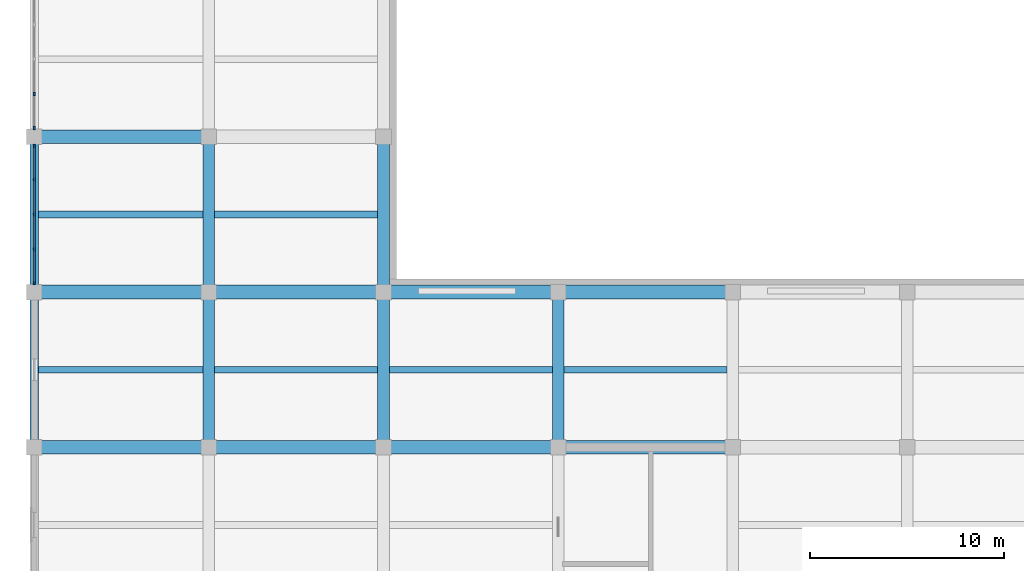
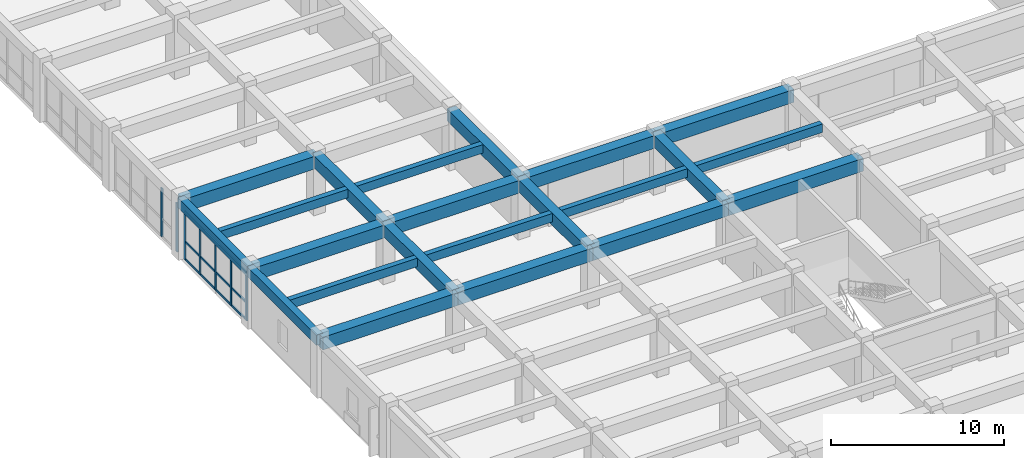
# One storey, part 6 of 50: 22 beams, 10 members, 2 elements without a shape of their own.
"""IFC4 building model written with IfcOpenShell, lengths in metres."""

from ifc_helpers import new_model, si_unit, direction, frame, origin, origin_2d, place, context, subcontext, project, spatial, rectangle, extrude, material, material_profile, profile_set, type_object, element, aggregate, save


model = new_model("IFC4")

# Units and contexts
model_context = context("Model", 3, precision=1e-05, world=origin(), true_north=direction((0.0, 1.0)))
body_context = subcontext(model_context, "Body", "Model", "MODEL_VIEW")
ifc_project = project(units=[si_unit("LENGTHUNIT", "METRE"), si_unit("AREAUNIT", "SQUARE_METRE"), si_unit("VOLUMEUNIT", "CUBIC_METRE"), si_unit("PLANEANGLEUNIT", "RADIAN"), si_unit("MASSUNIT", "GRAM", prefix="KILO")], contexts=[model_context])

# Site, building, storey
site_placement = place(None, origin())
site = spatial("IfcSite", under=ifc_project, at=site_placement, CompositionType="ELEMENT")
building_placement = place(site_placement, origin())
building = spatial("IfcBuilding", under=site, at=building_placement, Name="Zaverband Oceanarium and Marine Research Institute", CompositionType="ELEMENT")
storey_placement = place(building_placement, frame((0.0, 0.0, 9.0)))
storey = spatial("IfcBuildingStorey", under=building, at=storey_placement, Name="L02", CompositionType="ELEMENT", Elevation=9.0)

# Beams
ifc_material_1 = material(Name="Concrete C40/50", Category="concrete")
ifc_material_profile_1 = material_profile(ifc_material_1, rectangle(XDim=0.60009765625, YDim=0.85009765625, at=origin_2d()), Name="RC600x850")
ifc_profile_set_1 = profile_set([ifc_material_profile_1], Name="Concrete C40/50")
beam_type_1 = type_object("IfcBeamType", Name="BM-600x850", PredefinedType="BEAM", material=ifc_profile_set_1)
for number, where, z_axis, x_axis, name in (
    (1, (9.0, 32.0, 3.715087890625), (0.0, 1.0, 0.0), (-1.0, 0.0, 0.0), "Primary floor girder BM-600x850"),
    (2, (9.0, 40.0, 3.715087890625), (0.0, 1.0, 0.0), (-1.0, 0.0, 0.0), "Primary floor girder BM-600x850"),
    (3, (18.0, 32.0, 3.715087890625), (0.0, 1.0, 0.0), (-1.0, 0.0, 0.0), "Primary floor girder BM-600x850"),
    (4, (18.0, 40.0, 3.715087890625), (0.0, 1.0, 0.0), (-1.0, 0.0, 0.0), "Primary floor girder BM-600x850"),
    (5, (27.0, 32.0, 3.715087890625), (0.0, 1.0, 0.0), (-1.0, 0.0, 0.0), "Primary floor girder BM-600x850"),
):
    element("IfcBeam", number, at=place(storey_placement, frame(where, z_axis=z_axis, x_axis=x_axis)), inside=storey, type_object=beam_type_1, Name=name, PredefinedType="BEAM", context=body_context, shape_type="SweptSolid", body=[
        extrude(rectangle(XDim=0.60009765625, YDim=0.85009765625, at=origin_2d()), origin(), (0.0, 0.0, 1.0), 8.0),
    ])
ifc_material_profile_2 = material_profile(ifc_material_1, rectangle(XDim=0.699951171875, YDim=0.89990234375, at=origin_2d()), Name="RC700x900")
ifc_profile_set_2 = profile_set([ifc_material_profile_2], Name="Concrete C40/50")
beam_type_2 = type_object("IfcBeamType", Name="BM-700x900", PredefinedType="BEAM", material=ifc_profile_set_2)
for number, where, z_axis, x_axis, name in (
    (6, (0.0, 32.0, 3.68994140625), (1.0, 0.0, 0.0), (0.0, 1.0, 0.0), "Primary floor girder BM-700x900"),
    (7, (9.0, 32.0, 3.68994140625), (1.0, 0.0, 0.0), (0.0, 1.0, 0.0), "Primary floor girder BM-700x900"),
    (8, (18.0, 32.0, 3.68994140625), (1.0, 0.0, 0.0), (0.0, 1.0, 0.0), "Primary floor girder BM-700x900"),
    (9, (27.0, 32.0, 3.68994140625), (1.0, 0.0, 0.0), (0.0, 1.0, 0.0), "Primary floor girder BM-700x900"),
    (10, (0.0, 40.0, 3.68994140625), (1.0, 0.0, 0.0), (0.0, 1.0, 0.0), "Primary floor girder BM-700x900"),
    (11, (9.0, 40.0, 3.68994140625), (1.0, 0.0, 0.0), (0.0, 1.0, 0.0), "Primary floor girder BM-700x900"),
    (12, (18.0, 40.0, 3.68994140625), (1.0, 0.0, 0.0), (0.0, 1.0, 0.0), "Primary floor girder BM-700x900"),
    (13, (27.0, 40.0, 3.68994140625), (1.0, 0.0, 0.0), (0.0, 1.0, 0.0), "Primary floor girder BM-700x900"),
    (14, (0.0, 48.0, 3.68994140625), (1.0, 0.0, 0.0), (0.0, 1.0, 0.0), "Primary floor girder BM-700x900"),
):
    element("IfcBeam", number, at=place(storey_placement, frame(where, z_axis=z_axis, x_axis=x_axis)), inside=storey, type_object=beam_type_2, Name=name, PredefinedType="BEAM", context=body_context, shape_type="SweptSolid", body=[
        extrude(rectangle(XDim=0.699951171875, YDim=0.89990234375, at=origin_2d()), origin(), (0.0, 0.0, 1.0), 9.0),
    ])
ifc_material_profile_3 = material_profile(ifc_material_1, rectangle(XDim=0.35009765625, YDim=0.60009765625, at=origin_2d()), Name="RC350x600")
ifc_profile_set_3 = profile_set([ifc_material_profile_3], Name="Concrete C40/50")
beam_type_3 = type_object("IfcBeamType", Name="JST-350x600", PredefinedType="JOIST", material=ifc_profile_set_3)
for number, where, z_axis, x_axis, name in (
    (15, (0.22509765625, 36.0, 3.840087890625), (1.0, 0.0, 0.0), (0.0, 1.0, 0.0), "Secondary floor joist JST-350x600"),
    (16, (0.22509765625, 44.0, 3.840087890625), (1.0, 0.0, 0.0), (0.0, 1.0, 0.0), "Secondary floor joist JST-350x600"),
):
    element("IfcBeam", number, at=place(storey_placement, frame(where, z_axis=z_axis, x_axis=x_axis)), inside=storey, type_object=beam_type_3, Name=name, PredefinedType="JOIST", context=body_context, shape_type="SweptSolid", body=[
        extrude(rectangle(XDim=0.35009765625, YDim=0.60009765625, at=origin_2d()), origin(), (0.0, 0.0, 1.0), 8.474853515625),
    ])
for number, where, z_axis, x_axis, name in (
    (17, (9.300048828125, 36.0, 3.840087890625), (1.0, 0.0, 0.0), (0.0, 1.0, 0.0), "Secondary floor joist JST-350x600"),
    (18, (9.300048828125, 44.0, 3.840087890625), (1.0, 0.0, 0.0), (0.0, 1.0, 0.0), "Secondary floor joist JST-350x600"),
    (19, (18.300048828125, 36.0, 3.840087890625), (1.0, 0.0, 0.0), (0.0, 1.0, 0.0), "Secondary floor joist JST-350x600"),
    (20, (27.300048828125, 36.0, 3.840087890625), (1.0, 0.0, 0.0), (0.0, 1.0, 0.0), "Secondary floor joist JST-350x600"),
):
    element("IfcBeam", number, at=place(storey_placement, frame(where, z_axis=z_axis, x_axis=x_axis)), inside=storey, type_object=beam_type_3, Name=name, PredefinedType="JOIST", context=body_context, shape_type="SweptSolid", body=[
        extrude(rectangle(XDim=0.35009765625, YDim=0.60009765625, at=origin_2d()), origin(), (0.0, 0.0, 1.0), 8.39990234375),
    ])

# Curtain wall, members
ifc_material_2 = material(Name="Thermally broken anodized aluminium and solar-control glass", Category="aluminium")
curtain_wall_type = type_object("IfcCurtainWallType", Name="CW-UNIT-1800", PredefinedType="NOTDEFINED", material=ifc_material_2)
curtain_wall_1_placement = place(storey_placement, origin())
curtain_wall_1 = element("IfcCurtainWall", 21, at=curtain_wall_1_placement, inside=storey, type_object=curtain_wall_type, Name="Unitised glazed curtain wall CW-052", PredefinedType="NOTDEFINED")
ifc_material_3 = material(Name="Thermally broken anodized aluminium", Category="aluminium")
ifc_material_profile_4 = material_profile(ifc_material_3, rectangle(XDim=0.080078125, YDim=0.179931640625, at=origin_2d()), Name="AL-MUL-80x180")
ifc_profile_set_4 = profile_set([ifc_material_profile_4], Name="Thermally broken anodized aluminium")
member_type_1 = type_object("IfcMemberType", Name="MUL-80x180", PredefinedType="MULLION", material=ifc_profile_set_4)
member_1_placement = place(storey_placement, frame((0.0, 40.465087890625, 0.0), z_axis=(0.0, 0.0, 1.0), x_axis=(1.0, 0.0, 0.0)))
member_1 = element("IfcMember", 22, at=member_1_placement, type_object=member_type_1, Name="Curtain wall vertical mullion MUL-80x180", PredefinedType="MULLION", context=body_context, shape_type="SweptSolid", body=[
    extrude(rectangle(XDim=0.080078125, YDim=0.179931640625, at=origin_2d()), origin(), (0.0, 0.0, 1.0), 3.419921875),
])
member_2_placement = place(storey_placement, frame((0.0, 42.202392578125, 0.0), z_axis=(0.0, 0.0, 1.0), x_axis=(1.0, 0.0, 0.0)))
member_2 = element("IfcMember", 23, at=member_2_placement, type_object=member_type_1, Name="Curtain wall vertical mullion MUL-80x180", PredefinedType="MULLION", context=body_context, shape_type="SweptSolid", body=[
    extrude(rectangle(XDim=0.080078125, YDim=0.179931640625, at=origin_2d()), origin(), (0.0, 0.0, 1.0), 3.419921875),
])
member_3_placement = place(storey_placement, frame((0.0, 44.0, 0.0), z_axis=(0.0, 0.0, 1.0), x_axis=(1.0, 0.0, 0.0)))
member_3 = element("IfcMember", 24, at=member_3_placement, type_object=member_type_1, Name="Curtain wall vertical mullion MUL-80x180", PredefinedType="MULLION", context=body_context, shape_type="SweptSolid", body=[
    extrude(rectangle(XDim=0.080078125, YDim=0.179931640625, at=origin_2d()), origin(), (0.0, 0.0, 1.0), 3.419921875),
])
member_4_placement = place(storey_placement, frame((0.0, 45.797607421875, 0.0), z_axis=(0.0, 0.0, 1.0), x_axis=(1.0, 0.0, 0.0)))
member_4 = element("IfcMember", 25, at=member_4_placement, type_object=member_type_1, Name="Curtain wall vertical mullion MUL-80x180", PredefinedType="MULLION", context=body_context, shape_type="SweptSolid", body=[
    extrude(rectangle(XDim=0.080078125, YDim=0.179931640625, at=origin_2d()), origin(), (0.0, 0.0, 1.0), 3.419921875),
])
member_5_placement = place(storey_placement, frame((0.0, 47.534912109375, 0.0), z_axis=(0.0, 0.0, 1.0), x_axis=(1.0, 0.0, 0.0)))
member_5 = element("IfcMember", 26, at=member_5_placement, type_object=member_type_1, Name="Curtain wall vertical mullion MUL-80x180", PredefinedType="MULLION", context=body_context, shape_type="SweptSolid", body=[
    extrude(rectangle(XDim=0.080078125, YDim=0.179931640625, at=origin_2d()), origin(), (0.0, 0.0, 1.0), 3.419921875),
])

curtain_wall_2_placement = place(storey_placement, origin())
curtain_wall_2 = element("IfcCurtainWall", 27, at=curtain_wall_2_placement, inside=storey, type_object=curtain_wall_type, Name="Unitised glazed curtain wall CW-053", PredefinedType="NOTDEFINED")
member_6_placement = place(storey_placement, frame((0.0, 48.465087890625, 0.0), z_axis=(0.0, 0.0, 1.0), x_axis=(1.0, 0.0, 0.0)))
member_6 = element("IfcMember", 28, at=member_6_placement, type_object=member_type_1, Name="Curtain wall vertical mullion MUL-80x180", PredefinedType="MULLION", context=body_context, shape_type="SweptSolid", body=[
    extrude(rectangle(XDim=0.080078125, YDim=0.179931640625, at=origin_2d()), origin(), (0.0, 0.0, 1.0), 3.419921875),
])
member_7_placement = place(storey_placement, frame((0.0, 50.202392578125, 0.0), z_axis=(0.0, 0.0, 1.0), x_axis=(1.0, 0.0, 0.0)))
member_7 = element("IfcMember", 29, at=member_7_placement, type_object=member_type_1, Name="Curtain wall vertical mullion MUL-80x180", PredefinedType="MULLION", context=body_context, shape_type="SweptSolid", body=[
    extrude(rectangle(XDim=0.080078125, YDim=0.179931640625, at=origin_2d()), origin(), (0.0, 0.0, 1.0), 3.419921875),
])
aggregate(curtain_wall_2, [member_6, member_7])

# Beams
ifc_material_profile_5 = material_profile(ifc_material_1, rectangle(XDim=0.449951171875, YDim=0.699951171875, at=origin_2d()), Name="RC450x700")
ifc_profile_set_5 = profile_set([ifc_material_profile_5], Name="Concrete C40/50")
beam_type_4 = type_object("IfcBeamType", Name="SPN-450x700", PredefinedType="SPANDREL", material=ifc_profile_set_5)
for number, where, z_axis, x_axis, name in (
    (30, (0.0, 32.0, 3.7900390625), (0.0, 1.0, 0.0), (-1.0, 0.0, 0.0), "Perimeter spandrel beam SPN-450x700"),
    (31, (0.0, 40.0, 3.7900390625), (0.0, 1.0, 0.0), (-1.0, 0.0, 0.0), "Perimeter spandrel beam SPN-450x700"),
):
    element("IfcBeam", number, at=place(storey_placement, frame(where, z_axis=z_axis, x_axis=x_axis)), inside=storey, type_object=beam_type_4, Name=name, PredefinedType="SPANDREL", context=body_context, shape_type="SweptSolid", body=[
        extrude(rectangle(XDim=0.449951171875, YDim=0.699951171875, at=origin_2d()), origin(), (0.0, 0.0, 1.0), 8.0),
    ])

# Member
ifc_material_profile_6 = material_profile(ifc_material_3, rectangle(XDim=0.080078125, YDim=0.139892578125, at=origin_2d()), Name="AL-TRN-80x140")
ifc_profile_set_6 = profile_set([ifc_material_profile_6], Name="Thermally broken anodized aluminium")
member_type_2 = type_object("IfcMemberType", Name="TRN-80x140", PredefinedType="USERDEFINED", material=ifc_profile_set_6)
member_8_placement = place(storey_placement, frame((0.0, 40.465087890625, 0.050048828125), z_axis=(0.0, 1.0, 0.0), x_axis=(-1.0, 0.0, 0.0)))
member_8 = element("IfcMember", 32, at=member_8_placement, type_object=member_type_2, Name="Curtain wall horizontal transom TRN-80x140", ObjectType="TRANSOM", PredefinedType="USERDEFINED", context=body_context, shape_type="SweptSolid", body=[
    extrude(rectangle(XDim=0.080078125, YDim=0.139892578125, at=origin_2d()), origin(), (0.0, 0.0, 1.0), 7.06982421875),
])

member_9_placement = place(storey_placement, frame((0.0, 40.465087890625, 1.277099609375), z_axis=(0.0, 1.0, 0.0), x_axis=(-1.0, 0.0, 0.0)))
member_9 = element("IfcMember", 33, at=member_9_placement, type_object=member_type_2, Name="Curtain wall horizontal transom TRN-80x140", ObjectType="TRANSOM", PredefinedType="USERDEFINED", context=body_context, shape_type="SweptSolid", body=[
    extrude(rectangle(XDim=0.080078125, YDim=0.139892578125, at=origin_2d()), origin(), (0.0, 0.0, 1.0), 7.06982421875),
])

member_10_placement = place(storey_placement, frame((0.0, 40.465087890625, 3.3701171875), z_axis=(0.0, 1.0, 0.0), x_axis=(-1.0, 0.0, 0.0)))
member_10 = element("IfcMember", 34, at=member_10_placement, type_object=member_type_2, Name="Curtain wall horizontal transom TRN-80x140", ObjectType="TRANSOM", PredefinedType="USERDEFINED", context=body_context, shape_type="SweptSolid", body=[
    extrude(rectangle(XDim=0.080078125, YDim=0.139892578125, at=origin_2d()), origin(), (0.0, 0.0, 1.0), 7.06982421875),
])

aggregate(curtain_wall_1, [member_1, member_2, member_3, member_4, member_5, member_8, member_9, member_10])

save(model, "model.ifc")
